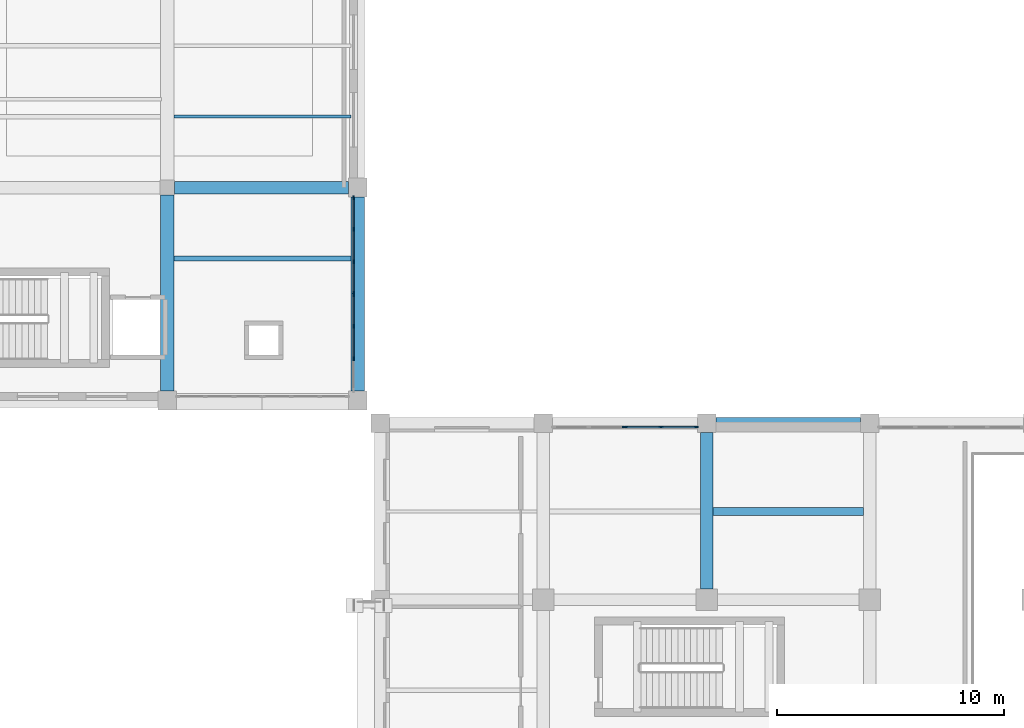
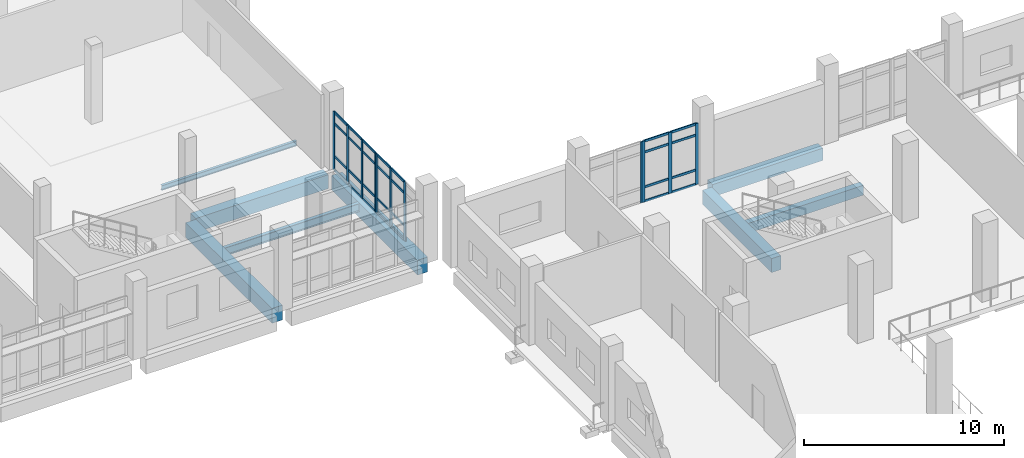
# One storey, part 26 of 90: 39 members, 8 beams, 4 elements without a shape of their own.
"""IFC4 building model written with IfcOpenShell, lengths in metres."""

import ifcopenshell
import ifcopenshell.guid

model = None  # the IFC model being written
_history = None  # IfcOwnerHistory: only IFC2X3 demands one
_inside = {}  # id of a spatial element -> (the spatial element, [elements in it])
_under = {}  # id of a project, library or spatial element -> (it, [spatial elements below it])
_declared = {}  # id of a project -> (the project, [libraries it declares])
_typed = {}  # id of a type object -> (the type object, [elements of that type])
_made_of = {}  # id of a material, layer set ... -> (it, [elements and type objects made of it])


def new_model(schema):
    """Start an empty IFC model of exactly this schema.

    Asked for "IFC4X3", IfcOpenShell would pick the latest addendum, in which some entities
    have other attributes; the version numbers below select the first issue.
    IFC2X3 requires an IfcOwnerHistory on every rooted entity: one is made here for all.
    """
    global model, _history
    if schema == "IFC4X3":
        model = ifcopenshell.file(schema_version=(4, 3, 0, 0))
    else:
        model = ifcopenshell.file(schema=schema)
    _inside.clear()
    _under.clear()
    _declared.clear()
    _typed.clear()
    _made_of.clear()
    _history = None
    if model.schema == "IFC2X3":
        org = make("IfcOrganization", Name="unknown")
        user = make(
            "IfcPersonAndOrganization",
            ThePerson=make("IfcPerson", FamilyName="unknown"),
            TheOrganization=org,
        )
        app = make(
            "IfcApplication",
            ApplicationDeveloper=org,
            Version="unknown",
            ApplicationFullName="unknown",
            ApplicationIdentifier="unknown",
        )
        _history = make(
            "IfcOwnerHistory",
            OwningUser=user,
            OwningApplication=app,
            ChangeAction="ADDED",
            CreationDate=0,
        )
    return model


def make(cls, **values):
    """One entity of the class cls with the attributes given. An attribute that is None is left unset."""
    return model.create_entity(
        cls, **{name: value for name, value in values.items() if value is not None}
    )


def rooted(cls, **values):
    """An entity with a GlobalId (a new one), such as an element, a storey or a relation."""
    return make(cls, GlobalId=ifcopenshell.guid.new(), OwnerHistory=_history, **values)


def si_unit(unit_type, name, prefix=None):
    """IfcSIUnit, for example si_unit("LENGTHUNIT", "METRE", prefix="MILLI")."""
    return make("IfcSIUnit", UnitType=unit_type, Prefix=prefix, Name=name)


def assignment(units):
    """IfcUnitAssignment: the units of a project."""
    return None if units is None else make("IfcUnitAssignment", Units=units)


def point(xyz):
    """IfcCartesianPoint."""
    return None if xyz is None else make("IfcCartesianPoint", Coordinates=xyz)


def direction(xyz):
    """IfcDirection."""
    return None if xyz is None else make("IfcDirection", DirectionRatios=xyz)


def frame(location, z_axis=None, x_axis=None):
    """IfcAxis2Placement3D, a coordinate frame: its origin and axes. An axis left out is left unset."""
    return make(
        "IfcAxis2Placement3D",
        Location=point(location),
        Axis=direction(z_axis),
        RefDirection=direction(x_axis),
    )


def frame_2d(location, x_axis=None):
    """IfcAxis2Placement2D, a coordinate frame in the plane: its origin and x axis."""
    return make(
        "IfcAxis2Placement2D", Location=point(location), RefDirection=direction(x_axis)
    )


def origin():
    """The frame at (0, 0, 0) with its axes left unset."""
    return frame((0.0, 0.0, 0.0))


def origin_2d():
    """The frame at (0, 0) in the plane with its x axis left unset."""
    return frame_2d((0.0, 0.0))


def place(relative_to, where):
    """IfcLocalPlacement: puts the frame where relative to a parent placement (None: the world)."""
    return make(
        "IfcLocalPlacement", PlacementRelTo=relative_to, RelativePlacement=where
    )


def context(
    kind, dimensions, precision=None, world=None, true_north=None, identifier=None
):
    """IfcGeometricRepresentationContext, for example the 3D "Model" context."""
    return make(
        "IfcGeometricRepresentationContext",
        ContextIdentifier=identifier,
        ContextType=kind,
        CoordinateSpaceDimension=dimensions,
        Precision=precision,
        WorldCoordinateSystem=world,
        TrueNorth=true_north,
    )


def subcontext(parent, identifier, kind, view, scale=None):
    """IfcGeometricRepresentationSubContext, for example "Body" below "Model"."""
    return make(
        "IfcGeometricRepresentationSubContext",
        ContextIdentifier=identifier,
        ContextType=kind,
        ParentContext=parent,
        TargetScale=scale,
        TargetView=view,
    )


def project(units=None, contexts=None):
    """IfcProject with its units and contexts."""
    return rooted(
        "IfcProject",
        Name="project",
        RepresentationContexts=contexts,
        UnitsInContext=assignment(units),
    )


def spatial(cls, under=None, at=None, **own):
    """A site, building, storey or space (cls), placed at a placement, below another one or the project."""
    s = rooted(cls, ObjectPlacement=at, **own)
    if under is not None:
        _under.setdefault(under.id(), (under, []))[1].append(s)
    return s


def profile(cls, at=None, kind="AREA", **sizes):
    """A parametric profile (cls). Its sizes go by their IFC names, for example OverallWidth=200.0."""
    return make(cls, ProfileType=kind, Position=at, **sizes)


def rectangle(**sizes):
    """IfcRectangleProfileDef."""
    return profile("IfcRectangleProfileDef", **sizes)


def i_section(**sizes):
    """IfcIShapeProfileDef."""
    return profile("IfcIShapeProfileDef", **sizes)


def extrude(swept, where, along, depth):
    """IfcExtrudedAreaSolid: the profile swept, set in the frame where, extruded along a direction by depth."""
    return make(
        "IfcExtrudedAreaSolid",
        SweptArea=swept,
        Position=where,
        ExtrudedDirection=direction(along),
        Depth=depth,
    )


def shape(context_of_items, identifier, shape_type, items):
    """IfcShapeRepresentation: the items that make up one representation, for example the "Body"."""
    return make(
        "IfcShapeRepresentation",
        ContextOfItems=context_of_items,
        RepresentationIdentifier=identifier,
        RepresentationType=shape_type,
        Items=items,
    )


def material(Name=None, Category=None):
    """IfcMaterial."""
    return make("IfcMaterial", Name=Name, Category=Category)


def layer(
    of_material, thickness, ventilated=None, Name=None, Category=None, Priority=None
):
    """IfcMaterialLayer: one layer of a wall or slab, of a material (None: an air gap)."""
    return make(
        "IfcMaterialLayer",
        Material=of_material,
        LayerThickness=thickness,
        IsVentilated=ventilated,
        Name=Name,
        Category=Category,
        Priority=Priority,
    )


def layer_set(layers, Name=None):
    """IfcMaterialLayerSet."""
    return make("IfcMaterialLayerSet", MaterialLayers=layers, LayerSetName=Name)


def material_profile(
    of_material, cross_section, Name=None, Category=None, Priority=None
):
    """IfcMaterialProfile: a cross section and its material."""
    return make(
        "IfcMaterialProfile",
        Name=Name,
        Material=of_material,
        Profile=cross_section,
        Priority=Priority,
        Category=Category,
    )


def profile_set(profiles, Name=None, composite=None):
    """IfcMaterialProfileSet."""
    return make(
        "IfcMaterialProfileSet",
        Name=Name,
        MaterialProfiles=profiles,
        CompositeProfile=composite,
    )


def made_of(thing, what):
    """Note that an element or type object is made of a material, layer set ...; save() writes the relation."""
    if what is not None:
        _made_of.setdefault(what.id(), (what, []))[1].append(thing)
    return thing


def type_object(cls, material=None, **own):
    """A type object (cls), such as IfcWallType, which elements share."""
    return made_of(rooted(cls, **own), material)


def element(
    cls,
    number,
    at=None,
    inside=None,
    cuts=None,
    type_object=None,
    material=None,
    context=None,
    identifier="Body",
    shape_type=None,
    held_by="IfcProductDefinitionShape",
    body=None,
    shapes=None,
    **own,
):
    """One element of the class cls, such as IfcWall. Its Tag is "e" and its number.

    at: its placement. inside: the storey or other place that contains it. cuts: it is an
    opening in that element (IfcRelVoidsElement). A single representation is given by context,
    identifier, shape_type and body (its items); several are given by shapes. held_by: the class
    of the entity that holds the representations. save() writes the other relations.
    """
    e = rooted(cls, Tag="e%d" % number, ObjectPlacement=at, **own)
    if body is not None:
        shapes = [shape(context, identifier, shape_type, body)]
    if shapes is not None:
        e.Representation = make(held_by, Representations=shapes)
    if inside is not None:
        _inside.setdefault(inside.id(), (inside, []))[1].append(e)
    if cuts is not None:
        rooted(
            "IfcRelVoidsElement", RelatingBuildingElement=cuts, RelatedOpeningElement=e
        )
    if type_object is not None:
        _typed.setdefault(type_object.id(), (type_object, []))[1].append(e)
    return made_of(e, material)


def aggregate(whole, parts):
    """IfcRelAggregates: a whole, such as a stair, and the parts it consists of."""
    return rooted("IfcRelAggregates", RelatingObject=whole, RelatedObjects=parts)


def save(model, path):
    """Write the relations noted so far, then the file.

    IfcRelAggregates (storeys below a building ...), IfcRelContainedInSpatialStructure (elements
    in a storey), IfcRelDefinesByType, IfcRelAssociatesMaterial and IfcRelDeclares: one each for
    every whole, place, type object, material and project.
    """
    for whole, parts in _under.values():
        aggregate(whole, parts)
    for where, things in _inside.values():
        rooted(
            "IfcRelContainedInSpatialStructure",
            RelatedElements=things,
            RelatingStructure=where,
        )
    for kind, things in _typed.values():
        rooted("IfcRelDefinesByType", RelatedObjects=things, RelatingType=kind)
    for what, things in _made_of.values():
        rooted("IfcRelAssociatesMaterial", RelatedObjects=things, RelatingMaterial=what)
    for by, libraries in _declared.values():
        rooted("IfcRelDeclares", RelatingContext=by, RelatedDefinitions=libraries)
    model.write(path)


model = new_model("IFC4")

# Units and contexts
model_context = context("Model", 3, precision=1e-05, world=origin(), true_north=direction((0.0, 1.0)))
body_context = subcontext(model_context, "Body", "Model", "MODEL_VIEW")
ifc_project = project(units=[si_unit("LENGTHUNIT", "METRE"), si_unit("AREAUNIT", "SQUARE_METRE"), si_unit("VOLUMEUNIT", "CUBIC_METRE"), si_unit("PLANEANGLEUNIT", "RADIAN"), si_unit("MASSUNIT", "GRAM", prefix="KILO")], contexts=[model_context])

# Site, building, storey
site_placement = place(None, origin())
site = spatial("IfcSite", under=ifc_project, at=site_placement, CompositionType="ELEMENT")
building_placement = place(site_placement, origin())
building = spatial("IfcBuilding", under=site, at=building_placement, Name="Kelarvand Opera House", CompositionType="ELEMENT")
storey_placement = place(building_placement, frame((0.0, 0.0, 5.39990234375)))
storey = spatial("IfcBuildingStorey", under=building, at=storey_placement, Name="L01", CompositionType="ELEMENT", Elevation=5.39990234375)

# Curtain wall, member
ifc_material_1 = material(Name="Thermally broken aluminium and low-E glazing", Category="aluminium")
ifc_layer_1 = layer(ifc_material_1, 0.179931640625, Name="Thermally broken aluminium and low-E glazing", Category="aluminium")
ifc_layer_set_1 = layer_set([ifc_layer_1], Name="Thermally broken aluminium and low-E glazing")
curtain_wall_type_1 = type_object("IfcCurtainWallType", Name="Unitised Low-E Curtain Wall 3176x3730 Mod 1350 CWF-10", PredefinedType="USERDEFINED", material=ifc_layer_set_1)
curtain_wall_1_placement = place(storey_placement, origin())
curtain_wall_1 = element("IfcCurtainWall", 1, at=curtain_wall_1_placement, inside=storey, type_object=curtain_wall_type_1, Name="V2 L01 Curtain Wall CWF-10 (31)", ObjectType="UNITISED CURTAIN WALL", PredefinedType="USERDEFINED")
ifc_material_2 = material(Name="Thermally broken anodised aluminium", Category="aluminium")
ifc_material_profile_1 = material_profile(ifc_material_2, rectangle(XDim=0.06494140625, YDim=0.179931640625, at=origin_2d()), Name="ALU MULLION 65x180", Category="aluminium")
ifc_profile_set_1 = profile_set([ifc_material_profile_1], Name="Thermally broken anodised aluminium")
member_type_1 = type_object("IfcMemberType", Name="Curtain Wall Mullion 65x180 Aluminium", PredefinedType="MULLION", material=ifc_profile_set_1)
member_1_placement = place(storey_placement, frame((62.763427734375, 86.02001953125, 0.0), z_axis=(0.0, 0.0, 1.0), x_axis=(0.0, 1.0, 0.0)))
member_1 = element("IfcMember", 2, at=member_1_placement, type_object=member_type_1, Name="CWF-10 mullion 3", PredefinedType="MULLION", context=body_context, shape_type="SweptSolid", body=[
    extrude(rectangle(XDim=0.06494140625, YDim=0.179931640625, at=origin_2d()), origin(), (0.0, 0.0, 1.0), 3.72998046875),
])
aggregate(curtain_wall_1, [member_1])

# Curtain wall, members
curtain_wall_2_placement = place(storey_placement, origin())
curtain_wall_2 = element("IfcCurtainWall", 3, at=curtain_wall_2_placement, inside=storey, type_object=curtain_wall_type_1, Name="V2 L01 Curtain Wall CWF-10 (32)", ObjectType="UNITISED CURTAIN WALL", PredefinedType="USERDEFINED")
member_2_placement = place(storey_placement, frame((62.83251953125, 86.02001953125, 0.0), z_axis=(0.0, 0.0, 1.0), x_axis=(0.0, 1.0, 0.0)))
member_2 = element("IfcMember", 4, at=member_2_placement, type_object=member_type_1, Name="CWF-10 mullion 1", PredefinedType="MULLION", context=body_context, shape_type="SweptSolid", body=[
    extrude(rectangle(XDim=0.06494140625, YDim=0.179931640625, at=origin_2d()), origin(), (0.0, 0.0, 1.0), 3.72998046875),
])
member_3_placement = place(storey_placement, frame((64.389892578125, 86.02001953125, 0.0), z_axis=(0.0, 0.0, 1.0), x_axis=(0.0, 1.0, 0.0)))
member_3 = element("IfcMember", 5, at=member_3_placement, type_object=member_type_1, Name="CWF-10 mullion 2", PredefinedType="MULLION", context=body_context, shape_type="SweptSolid", body=[
    extrude(rectangle(XDim=0.06494140625, YDim=0.179931640625, at=origin_2d()), origin(), (0.0, 0.0, 1.0), 3.72998046875),
])
member_4_placement = place(storey_placement, frame((65.947509765625, 86.02001953125, 0.0), z_axis=(0.0, 0.0, 1.0), x_axis=(0.0, 1.0, 0.0)))
member_4 = element("IfcMember", 6, at=member_4_placement, type_object=member_type_1, Name="CWF-10 mullion 3", PredefinedType="MULLION", context=body_context, shape_type="SweptSolid", body=[
    extrude(rectangle(XDim=0.06494140625, YDim=0.179931640625, at=origin_2d()), origin(), (0.0, 0.0, 1.0), 3.72998046875),
])

ifc_layer_2 = layer(ifc_material_1, 0.179931640625, Name="Thermally broken aluminium and low-E glazing", Category="aluminium")
ifc_layer_set_2 = layer_set([ifc_layer_2], Name="Thermally broken aluminium and low-E glazing")
curtain_wall_type_2 = type_object("IfcCurtainWallType", Name="Unitised Low-E Curtain Wall 4276x3600 Mod 1350 CWF-16", PredefinedType="USERDEFINED", material=ifc_layer_set_2)
curtain_wall_3_placement = place(storey_placement, origin())
curtain_wall_3 = element("IfcCurtainWall", 7, at=curtain_wall_3_placement, inside=storey, type_object=curtain_wall_type_2, Name="V3 L01 Curtain Wall CWF-16 (49)", ObjectType="UNITISED CURTAIN WALL", PredefinedType="USERDEFINED")
member_5_placement = place(storey_placement, frame((50.820068359375, 96.1474609375, 0.0), z_axis=(0.0, 0.0, 1.0), x_axis=(1.0, 0.0, 0.0)))
member_5 = element("IfcMember", 8, at=member_5_placement, type_object=member_type_1, Name="CWF-16 mullion 1", PredefinedType="MULLION", context=body_context, shape_type="SweptSolid", body=[
    extrude(rectangle(XDim=0.06494140625, YDim=0.179931640625, at=origin_2d()), origin(), (0.0, 0.0, 1.0), 3.60009765625),
])
member_6_placement = place(storey_placement, frame((50.820068359375, 94.754638671875, 0.0), z_axis=(0.0, 0.0, 1.0), x_axis=(1.0, 0.0, 0.0)))
member_6 = element("IfcMember", 9, at=member_6_placement, type_object=member_type_1, Name="CWF-16 mullion 2", PredefinedType="MULLION", context=body_context, shape_type="SweptSolid", body=[
    extrude(rectangle(XDim=0.06494140625, YDim=0.179931640625, at=origin_2d()), origin(), (0.0, 0.0, 1.0), 3.60009765625),
])
member_7_placement = place(storey_placement, frame((50.820068359375, 93.329345703125, 0.0), z_axis=(0.0, 0.0, 1.0), x_axis=(1.0, 0.0, 0.0)))
member_7 = element("IfcMember", 10, at=member_7_placement, type_object=member_type_1, Name="CWF-16 mullion 3", PredefinedType="MULLION", context=body_context, shape_type="SweptSolid", body=[
    extrude(rectangle(XDim=0.06494140625, YDim=0.179931640625, at=origin_2d()), origin(), (0.0, 0.0, 1.0), 3.60009765625),
])
member_8_placement = place(storey_placement, frame((50.820068359375, 91.9365234375, 0.0), z_axis=(0.0, 0.0, 1.0), x_axis=(1.0, 0.0, 0.0)))
member_8 = element("IfcMember", 11, at=member_8_placement, type_object=member_type_1, Name="CWF-16 mullion 4", PredefinedType="MULLION", context=body_context, shape_type="SweptSolid", body=[
    extrude(rectangle(XDim=0.06494140625, YDim=0.179931640625, at=origin_2d()), origin(), (0.0, 0.0, 1.0), 3.60009765625),
])

curtain_wall_4_placement = place(storey_placement, origin())
curtain_wall_4 = element("IfcCurtainWall", 12, at=curtain_wall_4_placement, inside=storey, type_object=curtain_wall_type_2, Name="V3 L01 Curtain Wall CWF-16 (50)", ObjectType="UNITISED CURTAIN WALL", PredefinedType="USERDEFINED")
member_9_placement = place(storey_placement, frame((50.820068359375, 91.867431640625, 0.0), z_axis=(0.0, 0.0, 1.0), x_axis=(1.0, 0.0, 0.0)))
member_9 = element("IfcMember", 13, at=member_9_placement, type_object=member_type_1, Name="CWF-16 mullion 1", PredefinedType="MULLION", context=body_context, shape_type="SweptSolid", body=[
    extrude(rectangle(XDim=0.06494140625, YDim=0.179931640625, at=origin_2d()), origin(), (0.0, 0.0, 1.0), 3.60009765625),
])
member_10_placement = place(storey_placement, frame((50.820068359375, 90.473388671875, 0.0), z_axis=(0.0, 0.0, 1.0), x_axis=(1.0, 0.0, 0.0)))
member_10 = element("IfcMember", 14, at=member_10_placement, type_object=member_type_1, Name="CWF-16 mullion 2", PredefinedType="MULLION", context=body_context, shape_type="SweptSolid", body=[
    extrude(rectangle(XDim=0.06494140625, YDim=0.179931640625, at=origin_2d()), origin(), (0.0, 0.0, 1.0), 3.60009765625),
])
member_11_placement = place(storey_placement, frame((50.820068359375, 89.046630859375, 0.0), z_axis=(0.0, 0.0, 1.0), x_axis=(1.0, 0.0, 0.0)))
member_11 = element("IfcMember", 15, at=member_11_placement, type_object=member_type_1, Name="CWF-16 mullion 3", PredefinedType="MULLION", context=body_context, shape_type="SweptSolid", body=[
    extrude(rectangle(XDim=0.06494140625, YDim=0.179931640625, at=origin_2d()), origin(), (0.0, 0.0, 1.0), 3.60009765625),
])

# Member
ifc_material_profile_2 = material_profile(ifc_material_2, rectangle(XDim=0.06494140625, YDim=0.139892578125, at=origin_2d()), Name="ALU TRANSOM 65x140", Category="aluminium")
ifc_profile_set_2 = profile_set([ifc_material_profile_2], Name="Thermally broken anodised aluminium")
member_type_2 = type_object("IfcMemberType", Name="Curtain Wall Transom 65x140 Aluminium", PredefinedType="USERDEFINED", material=ifc_profile_set_2)
member_12_placement = place(storey_placement, frame((62.864990234375, 86.02001953125, 0.03271484375), z_axis=(1.0, 0.0, 0.0), x_axis=(0.0, 1.0, 0.0)))
member_12 = element("IfcMember", 16, at=member_12_placement, type_object=member_type_2, Name="CWF-10 transom 1.1", ObjectType="TRANSOM", PredefinedType="USERDEFINED", context=body_context, shape_type="SweptSolid", body=[
    extrude(rectangle(XDim=0.06494140625, YDim=0.139892578125, at=origin_2d()), origin(), (0.0, 0.0, 1.0), 1.492431640625),
])

member_13_placement = place(storey_placement, frame((62.864990234375, 86.02001953125, 0.900146484375), z_axis=(1.0, 0.0, 0.0), x_axis=(0.0, 1.0, 0.0)))
member_13 = element("IfcMember", 17, at=member_13_placement, type_object=member_type_2, Name="CWF-10 transom 1.2", ObjectType="TRANSOM", PredefinedType="USERDEFINED", context=body_context, shape_type="SweptSolid", body=[
    extrude(rectangle(XDim=0.06494140625, YDim=0.139892578125, at=origin_2d()), origin(), (0.0, 0.0, 1.0), 1.492431640625),
])

member_14_placement = place(storey_placement, frame((62.864990234375, 86.02001953125, 3.030029296875), z_axis=(1.0, 0.0, 0.0), x_axis=(0.0, 1.0, 0.0)))
member_14 = element("IfcMember", 18, at=member_14_placement, type_object=member_type_2, Name="CWF-10 transom 1.3", ObjectType="TRANSOM", PredefinedType="USERDEFINED", context=body_context, shape_type="SweptSolid", body=[
    extrude(rectangle(XDim=0.06494140625, YDim=0.139892578125, at=origin_2d()), origin(), (0.0, 0.0, 1.0), 1.492431640625),
])

member_15_placement = place(storey_placement, frame((62.864990234375, 86.02001953125, 3.697509765625), z_axis=(1.0, 0.0, 0.0), x_axis=(0.0, 1.0, 0.0)))
member_15 = element("IfcMember", 19, at=member_15_placement, type_object=member_type_2, Name="CWF-10 transom 1.4", ObjectType="TRANSOM", PredefinedType="USERDEFINED", context=body_context, shape_type="SweptSolid", body=[
    extrude(rectangle(XDim=0.06494140625, YDim=0.139892578125, at=origin_2d()), origin(), (0.0, 0.0, 1.0), 1.492431640625),
])

member_16_placement = place(storey_placement, frame((64.422607421875, 86.02001953125, 0.03271484375), z_axis=(1.0, 0.0, 0.0), x_axis=(0.0, 1.0, 0.0)))
member_16 = element("IfcMember", 20, at=member_16_placement, type_object=member_type_2, Name="CWF-10 transom 2.1", ObjectType="TRANSOM", PredefinedType="USERDEFINED", context=body_context, shape_type="SweptSolid", body=[
    extrude(rectangle(XDim=0.06494140625, YDim=0.139892578125, at=origin_2d()), origin(), (0.0, 0.0, 1.0), 1.492431640625),
])

member_17_placement = place(storey_placement, frame((64.422607421875, 86.02001953125, 0.900146484375), z_axis=(1.0, 0.0, 0.0), x_axis=(0.0, 1.0, 0.0)))
member_17 = element("IfcMember", 21, at=member_17_placement, type_object=member_type_2, Name="CWF-10 transom 2.2", ObjectType="TRANSOM", PredefinedType="USERDEFINED", context=body_context, shape_type="SweptSolid", body=[
    extrude(rectangle(XDim=0.06494140625, YDim=0.139892578125, at=origin_2d()), origin(), (0.0, 0.0, 1.0), 1.492431640625),
])

member_18_placement = place(storey_placement, frame((64.422607421875, 86.02001953125, 3.030029296875), z_axis=(1.0, 0.0, 0.0), x_axis=(0.0, 1.0, 0.0)))
member_18 = element("IfcMember", 22, at=member_18_placement, type_object=member_type_2, Name="CWF-10 transom 2.3", ObjectType="TRANSOM", PredefinedType="USERDEFINED", context=body_context, shape_type="SweptSolid", body=[
    extrude(rectangle(XDim=0.06494140625, YDim=0.139892578125, at=origin_2d()), origin(), (0.0, 0.0, 1.0), 1.492431640625),
])

member_19_placement = place(storey_placement, frame((64.422607421875, 86.02001953125, 3.697509765625), z_axis=(1.0, 0.0, 0.0), x_axis=(0.0, 1.0, 0.0)))
member_19 = element("IfcMember", 23, at=member_19_placement, type_object=member_type_2, Name="CWF-10 transom 2.4", ObjectType="TRANSOM", PredefinedType="USERDEFINED", context=body_context, shape_type="SweptSolid", body=[
    extrude(rectangle(XDim=0.06494140625, YDim=0.139892578125, at=origin_2d()), origin(), (0.0, 0.0, 1.0), 1.492431640625),
])

aggregate(curtain_wall_2, [member_2, member_3, member_4, member_12, member_13, member_14, member_15, member_16, member_17, member_18, member_19])

member_20_placement = place(storey_placement, frame((50.820068359375, 96.114990234375, 0.03271484375), z_axis=(0.0, -1.0, 0.0), x_axis=(1.0, 0.0, 0.0)))
member_20 = element("IfcMember", 24, at=member_20_placement, type_object=member_type_2, Name="CWF-16 transom 1.1", ObjectType="TRANSOM", PredefinedType="USERDEFINED", context=body_context, shape_type="SweptSolid", body=[
    extrude(rectangle(XDim=0.06494140625, YDim=0.139892578125, at=origin_2d()), origin(), (0.0, 0.0, 1.0), 1.327880859375),
])

member_21_placement = place(storey_placement, frame((50.820068359375, 96.114990234375, 0.900146484375), z_axis=(0.0, -1.0, 0.0), x_axis=(1.0, 0.0, 0.0)))
member_21 = element("IfcMember", 25, at=member_21_placement, type_object=member_type_2, Name="CWF-16 transom 1.2", ObjectType="TRANSOM", PredefinedType="USERDEFINED", context=body_context, shape_type="SweptSolid", body=[
    extrude(rectangle(XDim=0.06494140625, YDim=0.139892578125, at=origin_2d()), origin(), (0.0, 0.0, 1.0), 1.327880859375),
])

member_22_placement = place(storey_placement, frame((50.820068359375, 96.114990234375, 2.900146484375), z_axis=(0.0, -1.0, 0.0), x_axis=(1.0, 0.0, 0.0)))
member_22 = element("IfcMember", 26, at=member_22_placement, type_object=member_type_2, Name="CWF-16 transom 1.3", ObjectType="TRANSOM", PredefinedType="USERDEFINED", context=body_context, shape_type="SweptSolid", body=[
    extrude(rectangle(XDim=0.06494140625, YDim=0.139892578125, at=origin_2d()), origin(), (0.0, 0.0, 1.0), 1.327880859375),
])

member_23_placement = place(storey_placement, frame((50.820068359375, 96.114990234375, 3.567626953125), z_axis=(0.0, -1.0, 0.0), x_axis=(1.0, 0.0, 0.0)))
member_23 = element("IfcMember", 27, at=member_23_placement, type_object=member_type_2, Name="CWF-16 transom 1.4", ObjectType="TRANSOM", PredefinedType="USERDEFINED", context=body_context, shape_type="SweptSolid", body=[
    extrude(rectangle(XDim=0.06494140625, YDim=0.139892578125, at=origin_2d()), origin(), (0.0, 0.0, 1.0), 1.327880859375),
])

member_24_placement = place(storey_placement, frame((50.820068359375, 94.72216796875, 0.03271484375), z_axis=(0.0, -1.0, 0.0), x_axis=(1.0, 0.0, 0.0)))
member_24 = element("IfcMember", 28, at=member_24_placement, type_object=member_type_2, Name="CWF-16 transom 2.1", ObjectType="TRANSOM", PredefinedType="USERDEFINED", context=body_context, shape_type="SweptSolid", body=[
    extrude(rectangle(XDim=0.06494140625, YDim=0.139892578125, at=origin_2d()), origin(), (0.0, 0.0, 1.0), 1.3603515625),
])

member_25_placement = place(storey_placement, frame((50.820068359375, 94.72216796875, 0.900146484375), z_axis=(0.0, -1.0, 0.0), x_axis=(1.0, 0.0, 0.0)))
member_25 = element("IfcMember", 29, at=member_25_placement, type_object=member_type_2, Name="CWF-16 transom 2.2", ObjectType="TRANSOM", PredefinedType="USERDEFINED", context=body_context, shape_type="SweptSolid", body=[
    extrude(rectangle(XDim=0.06494140625, YDim=0.139892578125, at=origin_2d()), origin(), (0.0, 0.0, 1.0), 1.3603515625),
])

member_26_placement = place(storey_placement, frame((50.820068359375, 94.72216796875, 2.900146484375), z_axis=(0.0, -1.0, 0.0), x_axis=(1.0, 0.0, 0.0)))
member_26 = element("IfcMember", 30, at=member_26_placement, type_object=member_type_2, Name="CWF-16 transom 2.3", ObjectType="TRANSOM", PredefinedType="USERDEFINED", context=body_context, shape_type="SweptSolid", body=[
    extrude(rectangle(XDim=0.06494140625, YDim=0.139892578125, at=origin_2d()), origin(), (0.0, 0.0, 1.0), 1.3603515625),
])

member_27_placement = place(storey_placement, frame((50.820068359375, 94.72216796875, 3.567626953125), z_axis=(0.0, -1.0, 0.0), x_axis=(1.0, 0.0, 0.0)))
member_27 = element("IfcMember", 31, at=member_27_placement, type_object=member_type_2, Name="CWF-16 transom 2.4", ObjectType="TRANSOM", PredefinedType="USERDEFINED", context=body_context, shape_type="SweptSolid", body=[
    extrude(rectangle(XDim=0.06494140625, YDim=0.139892578125, at=origin_2d()), origin(), (0.0, 0.0, 1.0), 1.3603515625),
])

member_28_placement = place(storey_placement, frame((50.820068359375, 93.296875, 0.03271484375), z_axis=(0.0, -1.0, 0.0), x_axis=(1.0, 0.0, 0.0)))
member_28 = element("IfcMember", 32, at=member_28_placement, type_object=member_type_2, Name="CWF-16 transom 3.1", ObjectType="TRANSOM", PredefinedType="USERDEFINED", context=body_context, shape_type="SweptSolid", body=[
    extrude(rectangle(XDim=0.06494140625, YDim=0.139892578125, at=origin_2d()), origin(), (0.0, 0.0, 1.0), 1.327880859375),
])

member_29_placement = place(storey_placement, frame((50.820068359375, 93.296875, 0.900146484375), z_axis=(0.0, -1.0, 0.0), x_axis=(1.0, 0.0, 0.0)))
member_29 = element("IfcMember", 33, at=member_29_placement, type_object=member_type_2, Name="CWF-16 transom 3.2", ObjectType="TRANSOM", PredefinedType="USERDEFINED", context=body_context, shape_type="SweptSolid", body=[
    extrude(rectangle(XDim=0.06494140625, YDim=0.139892578125, at=origin_2d()), origin(), (0.0, 0.0, 1.0), 1.327880859375),
])

member_30_placement = place(storey_placement, frame((50.820068359375, 93.296875, 2.900146484375), z_axis=(0.0, -1.0, 0.0), x_axis=(1.0, 0.0, 0.0)))
member_30 = element("IfcMember", 34, at=member_30_placement, type_object=member_type_2, Name="CWF-16 transom 3.3", ObjectType="TRANSOM", PredefinedType="USERDEFINED", context=body_context, shape_type="SweptSolid", body=[
    extrude(rectangle(XDim=0.06494140625, YDim=0.139892578125, at=origin_2d()), origin(), (0.0, 0.0, 1.0), 1.327880859375),
])

member_31_placement = place(storey_placement, frame((50.820068359375, 93.296875, 3.567626953125), z_axis=(0.0, -1.0, 0.0), x_axis=(1.0, 0.0, 0.0)))
member_31 = element("IfcMember", 35, at=member_31_placement, type_object=member_type_2, Name="CWF-16 transom 3.4", ObjectType="TRANSOM", PredefinedType="USERDEFINED", context=body_context, shape_type="SweptSolid", body=[
    extrude(rectangle(XDim=0.06494140625, YDim=0.139892578125, at=origin_2d()), origin(), (0.0, 0.0, 1.0), 1.327880859375),
])

aggregate(curtain_wall_3, [member_5, member_6, member_7, member_8, member_20, member_21, member_22, member_23, member_24, member_25, member_26, member_27, member_28, member_29, member_30, member_31])

member_32_placement = place(storey_placement, frame((50.820068359375, 91.8349609375, 0.03271484375), z_axis=(0.0, -1.0, 0.0), x_axis=(1.0, 0.0, 0.0)))
member_32 = element("IfcMember", 36, at=member_32_placement, type_object=member_type_2, Name="CWF-16 transom 1.1", ObjectType="TRANSOM", PredefinedType="USERDEFINED", context=body_context, shape_type="SweptSolid", body=[
    extrude(rectangle(XDim=0.06494140625, YDim=0.139892578125, at=origin_2d()), origin(), (0.0, 0.0, 1.0), 1.3291015625),
])

member_33_placement = place(storey_placement, frame((50.820068359375, 91.8349609375, 0.900146484375), z_axis=(0.0, -1.0, 0.0), x_axis=(1.0, 0.0, 0.0)))
member_33 = element("IfcMember", 37, at=member_33_placement, type_object=member_type_2, Name="CWF-16 transom 1.2", ObjectType="TRANSOM", PredefinedType="USERDEFINED", context=body_context, shape_type="SweptSolid", body=[
    extrude(rectangle(XDim=0.06494140625, YDim=0.139892578125, at=origin_2d()), origin(), (0.0, 0.0, 1.0), 1.3291015625),
])

member_34_placement = place(storey_placement, frame((50.820068359375, 91.8349609375, 2.900146484375), z_axis=(0.0, -1.0, 0.0), x_axis=(1.0, 0.0, 0.0)))
member_34 = element("IfcMember", 38, at=member_34_placement, type_object=member_type_2, Name="CWF-16 transom 1.3", ObjectType="TRANSOM", PredefinedType="USERDEFINED", context=body_context, shape_type="SweptSolid", body=[
    extrude(rectangle(XDim=0.06494140625, YDim=0.139892578125, at=origin_2d()), origin(), (0.0, 0.0, 1.0), 1.3291015625),
])

member_35_placement = place(storey_placement, frame((50.820068359375, 91.8349609375, 3.567626953125), z_axis=(0.0, -1.0, 0.0), x_axis=(1.0, 0.0, 0.0)))
member_35 = element("IfcMember", 39, at=member_35_placement, type_object=member_type_2, Name="CWF-16 transom 1.4", ObjectType="TRANSOM", PredefinedType="USERDEFINED", context=body_context, shape_type="SweptSolid", body=[
    extrude(rectangle(XDim=0.06494140625, YDim=0.139892578125, at=origin_2d()), origin(), (0.0, 0.0, 1.0), 1.3291015625),
])

member_36_placement = place(storey_placement, frame((50.820068359375, 90.44091796875, 0.03271484375), z_axis=(0.0, -1.0, 0.0), x_axis=(1.0, 0.0, 0.0)))
member_36 = element("IfcMember", 40, at=member_36_placement, type_object=member_type_2, Name="CWF-16 transom 2.1", ObjectType="TRANSOM", PredefinedType="USERDEFINED", context=body_context, shape_type="SweptSolid", body=[
    extrude(rectangle(XDim=0.06494140625, YDim=0.139892578125, at=origin_2d()), origin(), (0.0, 0.0, 1.0), 1.36181640625),
])

member_37_placement = place(storey_placement, frame((50.820068359375, 90.44091796875, 0.900146484375), z_axis=(0.0, -1.0, 0.0), x_axis=(1.0, 0.0, 0.0)))
member_37 = element("IfcMember", 41, at=member_37_placement, type_object=member_type_2, Name="CWF-16 transom 2.2", ObjectType="TRANSOM", PredefinedType="USERDEFINED", context=body_context, shape_type="SweptSolid", body=[
    extrude(rectangle(XDim=0.06494140625, YDim=0.139892578125, at=origin_2d()), origin(), (0.0, 0.0, 1.0), 1.36181640625),
])

member_38_placement = place(storey_placement, frame((50.820068359375, 90.44091796875, 2.900146484375), z_axis=(0.0, -1.0, 0.0), x_axis=(1.0, 0.0, 0.0)))
member_38 = element("IfcMember", 42, at=member_38_placement, type_object=member_type_2, Name="CWF-16 transom 2.3", ObjectType="TRANSOM", PredefinedType="USERDEFINED", context=body_context, shape_type="SweptSolid", body=[
    extrude(rectangle(XDim=0.06494140625, YDim=0.139892578125, at=origin_2d()), origin(), (0.0, 0.0, 1.0), 1.36181640625),
])

member_39_placement = place(storey_placement, frame((50.820068359375, 90.44091796875, 3.567626953125), z_axis=(0.0, -1.0, 0.0), x_axis=(1.0, 0.0, 0.0)))
member_39 = element("IfcMember", 43, at=member_39_placement, type_object=member_type_2, Name="CWF-16 transom 2.4", ObjectType="TRANSOM", PredefinedType="USERDEFINED", context=body_context, shape_type="SweptSolid", body=[
    extrude(rectangle(XDim=0.06494140625, YDim=0.139892578125, at=origin_2d()), origin(), (0.0, 0.0, 1.0), 1.36181640625),
])

aggregate(curtain_wall_4, [member_9, member_10, member_11, member_32, member_33, member_34, member_35, member_36, member_37, member_38, member_39])

# Beams
ifc_material_3 = material(Name="Concrete C35/45", Category="concrete")
ifc_material_profile_3 = material_profile(ifc_material_3, rectangle(XDim=0.35009765625, YDim=0.60009765625, at=origin_2d()), Name="RC 350x600", Category="concrete")
ifc_profile_set_3 = profile_set([ifc_material_profile_3], Name="Concrete C35/45")
beam_type_1 = type_object("IfcBeamType", Name="Structural Beam RC 350x600 BM-RC350x600", PredefinedType="BEAM", material=ifc_profile_set_3)
beam_1_placement = place(storey_placement, frame((66.675048828125, 82.300048828125, -0.599853515625), z_axis=(1.0, 0.0, 0.0), x_axis=(0.0, 1.0, 0.0)))
element("IfcBeam", 44, at=beam_1_placement, inside=storey, type_object=beam_type_1, Name="V2 L01 Beam BM-RC350x600", PredefinedType="BEAM", context=body_context, shape_type="SweptSolid", body=[
    extrude(rectangle(XDim=0.35009765625, YDim=0.60009765625, at=origin_2d()), origin(), (0.0, 0.0, 1.0), 6.64990234375),
])
ifc_material_4 = material(Name="Concrete C40/50", Category="concrete")
ifc_material_profile_4 = material_profile(ifc_material_4, rectangle(XDim=0.550048828125, YDim=0.85009765625, at=origin_2d()), Name="RC 550x850", Category="concrete")
ifc_profile_set_4 = profile_set([ifc_material_profile_4], Name="Concrete C40/50")
beam_type_2 = type_object("IfcBeamType", Name="Structural Beam RC 550x850 BM-RC550x850", PredefinedType="BEAM", material=ifc_profile_set_4)
beam_2_placement = place(storey_placement, frame((66.39990234375, 78.875, -0.724853515625), z_axis=(0.0, 1.0, 0.0), x_axis=(-1.0, 0.0, 0.0)))
element("IfcBeam", 45, at=beam_2_placement, inside=storey, type_object=beam_type_2, Name="V2 L01 Beam BM-RC550x850", PredefinedType="BEAM", context=body_context, shape_type="SweptSolid", body=[
    extrude(rectangle(XDim=0.550048828125, YDim=0.85009765625, at=origin_2d()), origin(), (0.0, 0.0, 1.0), 6.9150390625),
])
beam_3_placement = place(storey_placement, frame((42.925048828125, 96.60009765625, -0.724853515625), z_axis=(1.0, 0.0, 0.0), x_axis=(0.0, 1.0, 0.0)))
element("IfcBeam", 46, at=beam_3_placement, inside=storey, type_object=beam_type_2, Name="V3 L01 Beam BM-RC550x850", PredefinedType="BEAM", context=body_context, shape_type="SweptSolid", body=[
    extrude(rectangle(XDim=0.550048828125, YDim=0.85009765625, at=origin_2d()), origin(), (0.0, 0.0, 1.0), 7.6650390625),
])
ifc_material_profile_5 = material_profile(ifc_material_4, rectangle(XDim=0.60009765625, YDim=0.89990234375, at=origin_2d()), Name="RC 600x900", Category="concrete")
ifc_profile_set_5 = profile_set([ifc_material_profile_5], Name="Concrete C40/50")
beam_type_3 = type_object("IfcBeamType", Name="Structural Beam RC 600x900 BM-RC600x900", PredefinedType="BEAM", material=ifc_profile_set_5)
beam_4_placement = place(storey_placement, frame((42.60009765625, 87.610107421875, -0.75), z_axis=(0.0, 1.0, 0.0), x_axis=(-1.0, 0.0, 0.0)))
element("IfcBeam", 47, at=beam_4_placement, inside=storey, type_object=beam_type_3, Name="V3 L01 Beam BM-RC600x900", PredefinedType="BEAM", context=body_context, shape_type="SweptSolid", body=[
    extrude(rectangle(XDim=0.60009765625, YDim=0.89990234375, at=origin_2d()), origin(), (0.0, 0.0, 1.0), 8.664794921875),
])
ifc_material_5 = material(Name="Steel S355", Category="steel")
ifc_material_profile_6 = material_profile(ifc_material_5, i_section(OverallWidth=0.14990234375, OverallDepth=0.300048828125, WebThickness=0.007080078125, FlangeThickness=0.0107421875, at=origin_2d()), Name="IPE 300", Category="steel")
ifc_profile_set_6 = profile_set([ifc_material_profile_6], Name="Steel S355")
beam_type_4 = type_object("IfcBeamType", Name="Structural Joist IPE 300 JS-IPE300", PredefinedType="JOIST", material=ifc_profile_set_6)
beam_5_placement = place(storey_placement, frame((42.89990234375, 99.7333984375, -0.449951171875), z_axis=(1.0, 0.0, 0.0), x_axis=(0.0, 1.0, 0.0)))
element("IfcBeam", 48, at=beam_5_placement, inside=storey, type_object=beam_type_4, Name="V3 L01 Beam JS-IPE300", PredefinedType="JOIST", context=body_context, shape_type="SweptSolid", body=[
    extrude(i_section(OverallWidth=0.14990234375, OverallDepth=0.300048828125, WebThickness=0.007080078125, FlangeThickness=0.0107421875, at=origin_2d()), origin(), (0.0, 0.0, 1.0), 7.800048828125),
])
ifc_material_profile_7 = material_profile(ifc_material_5, i_section(OverallWidth=0.199951171875, OverallDepth=0.5, WebThickness=0.01025390625, FlangeThickness=0.01611328125, at=origin_2d()), Name="IPE 500", Category="steel")
ifc_profile_set_7 = profile_set([ifc_material_profile_7], Name="Steel S355")
beam_type_5 = type_object("IfcBeamType", Name="Structural Joist IPE 500 JS-IPE500", PredefinedType="JOIST", material=ifc_profile_set_7)
beam_6_placement = place(storey_placement, frame((42.89990234375, 93.466796875, -0.5498046875), z_axis=(1.0, 0.0, 0.0), x_axis=(0.0, 1.0, 0.0)))
element("IfcBeam", 49, at=beam_6_placement, inside=storey, type_object=beam_type_5, Name="V3 L01 Beam JS-IPE500", PredefinedType="JOIST", context=body_context, shape_type="SweptSolid", body=[
    extrude(i_section(OverallWidth=0.199951171875, OverallDepth=0.5, WebThickness=0.01025390625, FlangeThickness=0.01611328125, at=origin_2d()), origin(), (0.0, 0.0, 1.0), 7.800048828125),
])
ifc_material_profile_8 = material_profile(ifc_material_4, rectangle(XDim=0.5, YDim=0.75, at=origin_2d()), Name="RC 500x750", Category="concrete")
ifc_profile_set_8 = profile_set([ifc_material_profile_8], Name="Concrete C40/50")
beam_type_6 = type_object("IfcBeamType", Name="Structural Spandrel RC 500x750 SP-RC500x750E", PredefinedType="SPANDREL", material=ifc_profile_set_8)
beam_7_placement = place(storey_placement, frame((66.81005859375, 86.199951171875, -0.6748046875), z_axis=(1.0, 0.0, 0.0), x_axis=(0.0, 1.0, 0.0)))
element("IfcBeam", 50, at=beam_7_placement, inside=storey, type_object=beam_type_6, Name="V2 L01 Beam SP-RC500x750E", PredefinedType="SPANDREL", context=body_context, shape_type="SweptSolid", body=[
    extrude(rectangle(XDim=0.5, YDim=0.75, at=origin_2d()), origin(), (0.0, 0.0, 1.0), 6.3798828125),
])
ifc_material_profile_9 = material_profile(ifc_material_4, rectangle(XDim=0.60009765625, YDim=0.89990234375, at=origin_2d()), Name="RC 600x900", Category="concrete")
ifc_profile_set_9 = profile_set([ifc_material_profile_9], Name="Concrete C40/50")
beam_type_7 = type_object("IfcBeamType", Name="Structural Spandrel RC 600x900 SP-RC600x900E", PredefinedType="SPANDREL", material=ifc_profile_set_9)
beam_8_placement = place(storey_placement, frame((51.0, 87.610107421875, -0.75), z_axis=(0.0, 1.0, 0.0), x_axis=(-1.0, 0.0, 0.0)))
element("IfcBeam", 51, at=beam_8_placement, inside=storey, type_object=beam_type_7, Name="V3 L01 Beam SP-RC600x900E", PredefinedType="SPANDREL", context=body_context, shape_type="SweptSolid", body=[
    extrude(rectangle(XDim=0.60009765625, YDim=0.89990234375, at=origin_2d()), origin(), (0.0, 0.0, 1.0), 8.579833984375),
])

save(model, "model.ifc")
